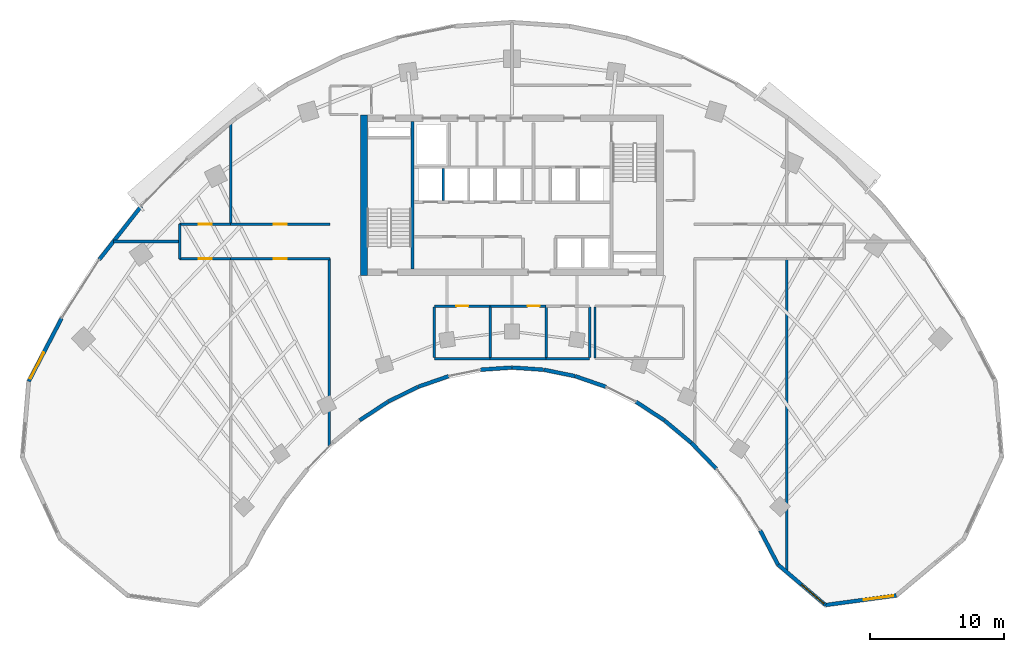
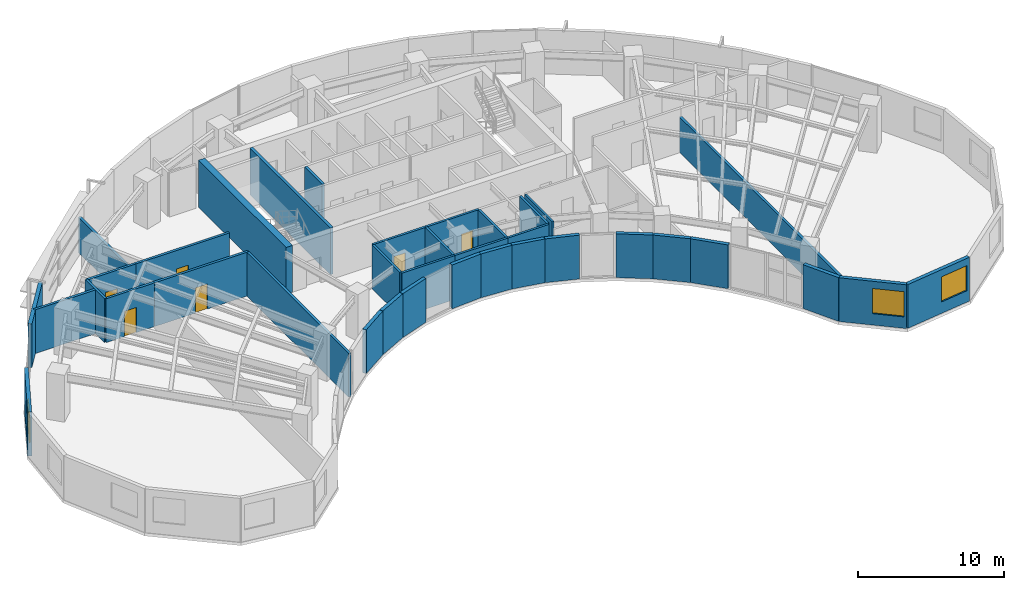
# One storey, part 8 of 14: 37 walls, 6 doors, 3 windows, 9 openings.
"""IFC4 building model written with IfcOpenShell, lengths in metres."""

from ifc_helpers import new_model, si_unit, direction, frame, frame_2d, origin, place, context, subcontext, project, spatial, rectangle, extrude, source, transform, mapped, material, layer, layer_set, type_object, type_shapes, element, fill, save


model = new_model("IFC4")

# Units and contexts
model_context = context("Model", 3, precision=1e-05, world=origin(), true_north=direction((0.0, 1.0)))
body_context = subcontext(model_context, "Body", "Model", "MODEL_VIEW")
ifc_project = project(units=[si_unit("LENGTHUNIT", "METRE"), si_unit("AREAUNIT", "SQUARE_METRE"), si_unit("VOLUMEUNIT", "CUBIC_METRE"), si_unit("PLANEANGLEUNIT", "RADIAN"), si_unit("MASSUNIT", "GRAM", prefix="KILO")], contexts=[model_context])

# Site, building, storey
site_placement = place(None, origin())
site = spatial("IfcSite", under=ifc_project, at=site_placement, CompositionType="ELEMENT")
building_placement = place(site_placement, origin())
building = spatial("IfcBuilding", under=site, at=building_placement, Name="Breltana Convention Tower", CompositionType="ELEMENT")
storey_placement = place(building_placement, frame((0.0, 0.0, 115.5)))
storey = spatial("IfcBuildingStorey", under=building, at=storey_placement, Name="L27", CompositionType="ELEMENT", Elevation=115.5)

# Walls
ifc_material_1 = material(Name="Concrete C60/75", Category="concrete")
ifc_layer_1 = layer(ifc_material_1, 0.5, Name="Concrete C60/75")
ifc_layer_set_1 = layer_set([ifc_layer_1], Name="Concrete C60/75")
wall_type_1 = type_object("IfcWallType", Name="SW-CORE-500", PredefinedType="SHEAR", material=ifc_layer_set_1)
shared_shape_1 = source(origin(), body_context, "Body", "SweptSolid", [
    extrude(rectangle(XDim=12.0, YDim=0.5, at=frame_2d((6.0, 0.0))), origin(), (0.0, 0.0, 1.0), 3.89990234375),
])
wall_1_placement = place(storey_placement, frame((36.949951171875, 60.199951171875, 0.0), z_axis=(0.0, 0.0, 1.0), x_axis=(0.0, 1.0, 0.0)))
element("IfcWall", 1, at=wall_1_placement, inside=storey, type_object=wall_type_1, Name="L27 West Core Shear Wall", PredefinedType="SHEAR", context=body_context, shape_type="MappedRepresentation", body=[
    mapped(shared_shape_1, transform((0.0, 0.0, 0.0), scale=1.0)),
])
ifc_material_2 = material(Name="Concrete C50/60", Category="concrete")
ifc_layer_2 = layer(ifc_material_2, 0.39990234375, Name="Concrete C50/60")
ifc_layer_set_2 = layer_set([ifc_layer_2], Name="Concrete C50/60")
wall_type_2 = type_object("IfcWallType", Name="SW-CORE-400", PredefinedType="SHEAR", material=ifc_layer_set_2)
shared_shape_2 = source(origin(), body_context, "Body", "SweptSolid", [
    extrude(rectangle(XDim=11.0, YDim=0.219970703125, at=frame_2d((5.5, 0.0))), origin(), (0.0, 0.0, 1.0), 3.89990234375),
])
wall_2_placement = place(storey_placement, frame((40.580078125, 60.699951171875, 0.0), z_axis=(0.0, 0.0, 1.0), x_axis=(0.0, 1.0, 0.0)))
element("IfcWall", 2, at=wall_2_placement, inside=storey, type_object=wall_type_2, Name="L27 Core West Stair Spine Wall", PredefinedType="SHEAR", context=body_context, shape_type="MappedRepresentation", body=[
    mapped(shared_shape_2, transform((0.0, 0.0, 0.0), scale=1.0)),
])

# Wall, opening, window
ifc_material_3 = material(Name="Limestone Buff Insulated Wall", Category="masonry")
ifc_layer_3 = layer(ifc_material_3, 0.280029296875, Name="Limestone Buff Insulated Wall")
ifc_layer_set_3 = layer_set([ifc_layer_3], Name="Limestone Buff Insulated Wall")
wall_type_3 = type_object("IfcWallType", Name="WL-EXT-NOSE-280", PredefinedType="SOLIDWALL", material=ifc_layer_set_3)
shared_shape_3 = source(origin(), body_context, "Body", "SweptSolid", [
    extrude(rectangle(XDim=5.32373046875, YDim=0.280029296875, at=frame_2d((2.661865234375, 0.0))), origin(), (0.0, 0.0, 1.0), 3.64990234375),
])
wall_3_placement = place(storey_placement, frame((76.685791015625, 36.321533203125, 0.0), z_axis=(0.0, 0.0, 1.0), x_axis=(-0.990931467223, -0.134368252451, 0.0)))
wall_3 = element("IfcWall", 3, at=wall_3_placement, inside=storey, type_object=wall_type_3, Name="L27 curved limestone nose wall E4", PredefinedType="SOLIDWALL", context=body_context, shape_type="MappedRepresentation", body=[
    mapped(shared_shape_3, transform((0.0, 0.0, 0.0), scale=1.0)),
])
opening_1_placement = place(wall_3_placement, frame((0.23095703125, 0.0, 0.949951171875)))
opening_1 = element("IfcOpeningElement", 4, at=opening_1_placement, cuts=wall_3, Name="Opening W-03", PredefinedType="OPENING", context=body_context, shape_type="SweptSolid", body=[
    extrude(rectangle(XDim=2.199951171875, YDim=2.10009765625, at=frame_2d((1.10009765625, 1.050048828125))), frame((0.0, 0.14990234375, 0.0), z_axis=(0.0, -1.0, 0.0), x_axis=(1.0, 0.0, 0.0)), (0.0, 0.0, 1.0), 0.300048828125),
])
ifc_material_4 = material(Name="Glass Low-E Insulated Window", Category="glass")
window_type = type_object("IfcWindowType", Name="WN-NOSE-2200X2100", PartitioningType="TRIPLE_PANEL_VERTICAL", PredefinedType="WINDOW", material=ifc_material_4)
shared_shape_4 = source(origin(), body_context, "Body", "SweptSolid", [
    extrude(rectangle(XDim=2.199951171875, YDim=2.10009765625, at=frame_2d((1.10009765625, 1.050048828125))), frame((0.0, 0.030029296875, 0.0), z_axis=(0.0, -1.0, 0.0), x_axis=(1.0, 0.0, 0.0)), (0.0, 0.0, 1.0), 0.06005859375),
])
type_shapes(window_type, [shared_shape_4])
window_1_placement = place(opening_1_placement, origin())
window_1 = element("IfcWindow", 5, at=window_1_placement, inside=storey, type_object=window_type, Name="L27 nose window E4", OverallHeight=2.10009765625, OverallWidth=2.199951171875, PartitioningType="TRIPLE_PANEL_VERTICAL", PredefinedType="WINDOW", context=body_context, shape_type="MappedRepresentation", body=[
    mapped(shared_shape_4, transform((0.0, 0.0, 0.0), scale=1.0)),
])
fill(opening_1, window_1)

shared_shape_5 = source(origin(), body_context, "Body", "SweptSolid", [
    extrude(rectangle(XDim=4.6591796875, YDim=0.280029296875, at=frame_2d((2.32958984375, 0.0))), origin(), (0.0, 0.0, 1.0), 3.64990234375),
])
wall_4_placement = place(storey_placement, frame((71.410400390625, 35.606201171875, 0.0), z_axis=(0.0, 0.0, 1.0), x_axis=(-0.761913458795, 0.647678841176, 0.0)))
wall_4 = element("IfcWall", 6, at=wall_4_placement, inside=storey, type_object=wall_type_3, Name="L27 curved limestone nose wall E5", PredefinedType="SOLIDWALL", context=body_context, shape_type="MappedRepresentation", body=[
    mapped(shared_shape_5, transform((0.0, 0.0, 0.0), scale=1.0)),
])
opening_2_placement = place(wall_4_placement, frame((0.159912109375, 0.0, 0.949951171875)))
opening_2 = element("IfcOpeningElement", 7, at=opening_2_placement, cuts=wall_4, Name="Opening W-03", PredefinedType="OPENING", context=body_context, shape_type="SweptSolid", body=[
    extrude(rectangle(XDim=2.199951171875, YDim=2.10009765625, at=frame_2d((1.10009765625, 1.050048828125))), frame((0.0, 0.14990234375, 0.0), z_axis=(0.0, -1.0, 0.0), x_axis=(1.0, 0.0, 0.0)), (0.0, 0.0, 1.0), 0.300048828125),
])
window_2_placement = place(opening_2_placement, origin())
window_2 = element("IfcWindow", 8, at=window_2_placement, inside=storey, type_object=window_type, Name="L27 nose window E5", OverallHeight=2.10009765625, OverallWidth=2.199951171875, PartitioningType="TRIPLE_PANEL_VERTICAL", PredefinedType="WINDOW", context=body_context, shape_type="MappedRepresentation", body=[
    mapped(shared_shape_4, transform((0.0, 0.0, 0.0), scale=1.0)),
])
fill(opening_2, window_2)

# Walls
shared_shape_6 = source(origin(), body_context, "Body", "SweptSolid", [
    extrude(rectangle(XDim=2.8798828125, YDim=0.280029296875, at=frame_2d((1.43994140625, 0.0))), origin(), (0.0, 0.0, 1.0), 3.64990234375),
])
wall_5_placement = place(storey_placement, frame((67.860595703125, 38.623779296875, 0.0), z_axis=(0.0, 0.0, 1.0), x_axis=(-0.461769086658, 0.887000175088, 0.0)))
element("IfcWall", 9, at=wall_5_placement, inside=storey, type_object=wall_type_3, Name="L27 curved limestone nose wall E6", PredefinedType="SOLIDWALL", context=body_context, shape_type="MappedRepresentation", body=[
    mapped(shared_shape_6, transform((0.0, 0.0, 0.0), scale=1.0)),
])
shared_shape_7 = source(origin(), body_context, "Body", "SweptSolid", [
    extrude(rectangle(XDim=2.679931640625, YDim=0.280029296875, at=frame_2d((1.33984375, 0.0))), origin(), (0.0, 0.0, 1.0), 3.64990234375),
])
wall_6_placement = place(storey_placement, frame((63.260009765625, 45.780029296875, 0.0), z_axis=(0.0, 0.0, 1.0), x_axis=(-0.694561996568, 0.719432855049, 0.0)))
element("IfcWall", 10, at=wall_6_placement, inside=storey, type_object=wall_type_3, Name="L27 curved limestone nose wall E7", PredefinedType="SOLIDWALL", context=body_context, shape_type="MappedRepresentation", body=[
    mapped(shared_shape_7, transform((0.0, 0.0, 0.0), scale=1.0)),
])
shared_shape_8 = source(origin(), body_context, "Body", "SweptSolid", [
    extrude(rectangle(XDim=2.600830078125, YDim=0.280029296875, at=frame_2d((1.30029296875, 0.0))), origin(), (0.0, 0.0, 1.0), 3.64990234375),
])
wall_7_placement = place(storey_placement, frame((61.384521484375, 47.72119140625, 0.0), z_axis=(0.0, 0.0, 1.0), x_axis=(-0.76796730295, 0.640489048775, 0.0)))
element("IfcWall", 11, at=wall_7_placement, inside=storey, type_object=wall_type_3, Name="L27 curved limestone nose wall E8", PredefinedType="SOLIDWALL", context=body_context, shape_type="MappedRepresentation", body=[
    mapped(shared_shape_8, transform((0.0, 0.0, 0.0), scale=1.0)),
])
shared_shape_9 = source(origin(), body_context, "Body", "SweptSolid", [
    extrude(rectangle(XDim=2.46240234375, YDim=0.280029296875, at=frame_2d((1.231201171875, 0.0))), origin(), (0.0, 0.0, 1.0), 3.64990234375),
])
wall_8_placement = place(storey_placement, frame((40.96728515625, 51.890625, 0.0), z_axis=(0.0, 0.0, 1.0), x_axis=(-0.8959882207, -0.444077817917, 0.0)))
element("IfcWall", 12, at=wall_8_placement, inside=storey, type_object=wall_type_3, Name="L27 curved limestone nose wall E15", PredefinedType="SOLIDWALL", context=body_context, shape_type="MappedRepresentation", body=[
    mapped(shared_shape_9, transform((0.0, 0.0, 0.0), scale=1.0)),
])
shared_shape_10 = source(origin(), body_context, "Body", "SweptSolid", [
    extrude(rectangle(XDim=2.41064453125, YDim=0.280029296875, at=frame_2d((1.205322265625, 0.0))), origin(), (0.0, 0.0, 1.0), 3.64990234375),
])
for number, where, z_axis, x_axis, name in (
    (13, (55.01171875, 51.8994140625, 0.0), (0.0, 0.0, 1.0), (-0.944880068161, 0.327416640982, 0.0), "L27 curved limestone nose wall E10"),
    (14, (43.26611328125, 52.688720703125, 0.0), (0.0, 0.0, 1.0), (-0.944880068161, -0.327416640982, 0.0), "L27 curved limestone nose wall E14"),
):
    element("IfcWall", number, at=place(storey_placement, frame(where, z_axis=z_axis, x_axis=x_axis)), inside=storey, type_object=wall_type_3, Name=name, PredefinedType="SOLIDWALL", context=body_context, shape_type="MappedRepresentation", body=[
        mapped(shared_shape_10, transform((0.0, 0.0, 0.0), scale=1.0)),
    ])
shared_shape_11 = source(origin(), body_context, "Body", "SweptSolid", [
    extrude(rectangle(XDim=2.373779296875, YDim=0.280029296875, at=frame_2d((1.18701171875, 0.0))), origin(), (0.0, 0.0, 1.0), 3.64990234375),
])
wall_9_placement = place(storey_placement, frame((52.711181640625, 52.695068359375, 0.0), z_axis=(0.0, 0.0, 1.0), x_axis=(-0.979619827472, 0.200860632341, 0.0)))
element("IfcWall", 15, at=wall_9_placement, inside=storey, type_object=wall_type_3, Name="L27 curved limestone nose wall E11", PredefinedType="SOLIDWALL", context=body_context, shape_type="MappedRepresentation", body=[
    mapped(shared_shape_11, transform((0.0, 0.0, 0.0), scale=1.0)),
])
shared_shape_12 = source(origin(), body_context, "Body", "SweptSolid", [
    extrude(rectangle(XDim=2.35498046875, YDim=0.280029296875, at=frame_2d((1.177490234375, 0.0))), origin(), (0.0, 0.0, 1.0), 3.64990234375),
])
for number, where, z_axis, x_axis, name in (
    (16, (50.36181640625, 53.175048828125, 0.0), (0.0, 0.0, 1.0), (-0.997699017577, 0.067798748701, 0.0), "L27 curved limestone nose wall E12"),
    (17, (47.98779296875, 53.334716796875, 0.0), (0.0, 0.0, 1.0), (-0.997699017577, -0.067798748701, 0.0), "L27 curved limestone nose wall E13"),
):
    element("IfcWall", number, at=place(storey_placement, frame(where, z_axis=z_axis, x_axis=x_axis)), inside=storey, type_object=wall_type_3, Name=name, PredefinedType="SOLIDWALL", context=body_context, shape_type="MappedRepresentation", body=[
        mapped(shared_shape_12, transform((0.0, 0.0, 0.0), scale=1.0)),
    ])
shared_shape_13 = source(origin(), body_context, "Body", "SweptSolid", [
    extrude(rectangle(XDim=2.52734375, YDim=0.280029296875, at=frame_2d((1.263671875, 0.0))), origin(), (0.0, 0.0, 1.0), 3.64990234375),
])
for number, where, z_axis, x_axis, name in (
    (18, (59.37060546875, 49.3994140625, 0.0), (0.0, 0.0, 1.0), (-0.836011905051, 0.548711303523, 0.0), "L27 curved limestone nose wall E9"),
    (19, (38.7421875, 50.7861328125, 0.0), (0.0, 0.0, 1.0), (-0.836011905051, -0.548711303523, 0.0), "L27 curved limestone nose wall E16"),
):
    element("IfcWall", number, at=place(storey_placement, frame(where, z_axis=z_axis, x_axis=x_axis)), inside=storey, type_object=wall_type_3, Name=name, PredefinedType="SOLIDWALL", context=body_context, shape_type="MappedRepresentation", body=[
        mapped(shared_shape_13, transform((0.0, 0.0, 0.0), scale=1.0)),
    ])

# Wall, opening, window
shared_shape_14 = source(origin(), body_context, "Body", "SweptSolid", [
    extrude(rectangle(XDim=5.315185546875, YDim=0.280029296875, at=frame_2d((2.65771484375, 0.0))), origin(), (0.0, 0.0, 1.0), 3.64990234375),
])
wall_10_placement = place(storey_placement, frame((11.92236328125, 52.305419921875, 0.0), z_axis=(0.0, 0.0, 1.0), x_axis=(0.461760527822, 0.887004630735, 0.0)))
wall_10 = element("IfcWall", 20, at=wall_10_placement, inside=storey, type_object=wall_type_3, Name="L27 curved limestone nose wall W7", PredefinedType="SOLIDWALL", context=body_context, shape_type="MappedRepresentation", body=[
    mapped(shared_shape_14, transform((0.0, 0.0, 0.0), scale=1.0)),
])
opening_3_placement = place(wall_10_placement, frame((0.228759765625, 0.0, 0.949951171875)))
opening_3 = element("IfcOpeningElement", 21, at=opening_3_placement, cuts=wall_10, Name="Opening W-03", PredefinedType="OPENING", context=body_context, shape_type="SweptSolid", body=[
    extrude(rectangle(XDim=2.199951171875, YDim=2.10009765625, at=frame_2d((1.10009765625, 1.050048828125))), frame((0.0, 0.14990234375, 0.0), z_axis=(0.0, -1.0, 0.0), x_axis=(1.0, 0.0, 0.0)), (0.0, 0.0, 1.0), 0.300048828125),
])
window_3_placement = place(opening_3_placement, origin())
window_3 = element("IfcWindow", 22, at=window_3_placement, inside=storey, type_object=window_type, Name="L27 nose window W7", OverallHeight=2.10009765625, OverallWidth=2.199951171875, PartitioningType="TRIPLE_PANEL_VERTICAL", PredefinedType="WINDOW", context=body_context, shape_type="MappedRepresentation", body=[
    mapped(shared_shape_4, transform((0.0, 0.0, 0.0), scale=1.0)),
])
fill(opening_3, window_3)

# Walls
shared_shape_15 = source(origin(), body_context, "Body", "SweptSolid", [
    extrude(rectangle(XDim=5.05810546875, YDim=0.280029296875, at=frame_2d((2.529052734375, 0.0))), origin(), (0.0, 0.0, 1.0), 3.64990234375),
])
wall_11_placement = place(storey_placement, frame((17.1884765625, 61.400390625, 0.0), z_axis=(0.0, 0.0, 1.0), x_axis=(0.618145507434, 0.786063694391, 0.0)))
element("IfcWall", 23, at=wall_11_placement, inside=storey, type_object=wall_type_3, Name="L27 curved limestone nose wall E20", PredefinedType="SOLIDWALL", context=body_context, shape_type="MappedRepresentation", body=[
    mapped(shared_shape_15, transform((0.0, 0.0, 0.0), scale=1.0)),
])
ifc_material_5 = material(Name="Autoclaved Aerated Concrete Block", Category="concrete")
ifc_layer_4 = layer(ifc_material_5, 0.199951171875, Name="Autoclaved Aerated Concrete Block")
ifc_layer_set_4 = layer_set([ifc_layer_4], Name="Autoclaved Aerated Concrete Block")
wall_type_4 = type_object("IfcWallType", Name="WL-SHAFT-200", PredefinedType="SOLIDWALL", material=ifc_layer_set_4)
shared_shape_16 = source(origin(), body_context, "Body", "SweptSolid", [
    extrude(rectangle(XDim=2.39990234375, YDim=0.199951171875, at=frame_2d((1.199951171875, 0.0))), origin(), (0.0, 0.0, 1.0), 3.64990234375),
])
wall_12_placement = place(storey_placement, frame((42.8701171875, 65.800048828125, 0.0), z_axis=(0.0, 0.0, 1.0), x_axis=(0.0, 1.0, 0.0)))
element("IfcWall", 24, at=wall_12_placement, inside=storey, type_object=wall_type_4, Name="L27 interior partition W-L27-SH-M-DIV1", PredefinedType="SOLIDWALL", context=body_context, shape_type="MappedRepresentation", body=[
    mapped(shared_shape_16, transform((0.0, 0.0, 0.0), scale=1.0)),
])
ifc_material_6 = material(Name="Cement Board Wet-Area Partition")
ifc_layer_5 = layer(ifc_material_6, 0.175048828125, Name="Cement Board Wet-Area Partition")
ifc_layer_set_5 = layer_set([ifc_layer_5], Name="Cement Board Wet-Area Partition")
wall_type_5 = type_object("IfcWallType", Name="WL-WET-175", PredefinedType="PARTITIONING", material=ifc_layer_set_5)
shared_shape_17 = source(origin(), body_context, "Body", "SweptSolid", [
    extrude(rectangle(XDim=4.176025390625, YDim=0.175048828125, at=frame_2d((2.087890625, 0.0))), origin(), (0.0, 0.0, 1.0), 3.64990234375),
])
for number, where, z_axis, x_axis, name in (
    (25, (42.199951171875, 54.0, 0.0), (0.0, 0.0, 1.0), (1.0, 0.0, 0.0), "L27 interior partition W-L27-WCM-S"),
    (26, (46.3759765625, 54.0, 0.0), (0.0, 0.0, 1.0), (1.0, 0.0, 0.0), "L27 interior partition W-L27-WCF-S"),
):
    element("IfcWall", number, at=place(storey_placement, frame(where, z_axis=z_axis, x_axis=x_axis)), inside=storey, type_object=wall_type_5, Name=name, PredefinedType="PARTITIONING", context=body_context, shape_type="MappedRepresentation", body=[
        mapped(shared_shape_17, transform((0.0, 0.0, 0.0), scale=1.0)),
    ])

# Wall, opening, door
ifc_material_7 = material(Name="Moisture-Resistant Gypsum Chase Wall")
ifc_layer_6 = layer(ifc_material_7, 0.179931640625, Name="Moisture-Resistant Gypsum Chase Wall")
ifc_layer_set_6 = layer_set([ifc_layer_6], Name="Moisture-Resistant Gypsum Chase Wall")
wall_type_6 = type_object("IfcWallType", Name="WL-PLUMB-180", PredefinedType="PLUMBINGWALL", material=ifc_layer_set_6)
shared_shape_18 = source(origin(), body_context, "Body", "SweptSolid", [
    extrude(rectangle(XDim=4.176025390625, YDim=0.179931640625, at=frame_2d((2.087890625, 0.0))), origin(), (0.0, 0.0, 1.0), 3.64990234375),
])
wall_13_placement = place(storey_placement, frame((42.199951171875, 57.919921875, 0.0), z_axis=(0.0, 0.0, 1.0), x_axis=(1.0, 0.0, 0.0)))
wall_13 = element("IfcWall", 27, at=wall_13_placement, inside=storey, type_object=wall_type_6, Name="L27 interior partition W-L27-WCM-N", PredefinedType="PLUMBINGWALL", context=body_context, shape_type="MappedRepresentation", body=[
    mapped(shared_shape_18, transform((0.0, 0.0, 0.0), scale=1.0)),
])
opening_4_placement = place(wall_13_placement, frame((1.637939453125, 0.0, 0.0)))
opening_4 = element("IfcOpeningElement", 28, at=opening_4_placement, cuts=wall_13, Name="Opening D-19", PredefinedType="OPENING", context=body_context, shape_type="SweptSolid", body=[
    extrude(rectangle(XDim=0.89990234375, YDim=2.080078125, at=frame_2d((0.449951171875, 1.0400390625))), frame((0.0, 0.10009765625, 0.0), z_axis=(0.0, -1.0, 0.0), x_axis=(1.0, 0.0, 0.0)), (0.0, 0.0, 1.0), 0.199951171875),
])
ifc_material_8 = material(Name="Timber Moisture-Resistant Door", Category="wood")
door_type_1 = type_object("IfcDoorType", Name="DR-WC-900", OperationType="NOTDEFINED", PredefinedType="DOOR", material=ifc_material_8)
shared_shape_19 = source(origin(), body_context, "Body", "SweptSolid", [
    extrude(rectangle(XDim=0.89990234375, YDim=2.080078125, at=frame_2d((0.449951171875, 1.0400390625))), frame((0.0, 0.02490234375, 0.0), z_axis=(0.0, -1.0, 0.0), x_axis=(1.0, 0.0, 0.0)), (0.0, 0.0, 1.0), 0.050048828125),
])
type_shapes(door_type_1, [shared_shape_19])
door_1_placement = place(opening_4_placement, origin())
door_1 = element("IfcDoor", 29, at=door_1_placement, inside=storey, type_object=door_type_1, Name="L27 interior door D-L27-WCM", OperationType="SINGLE_SWING_RIGHT", OverallHeight=2.080078125, OverallWidth=0.89990234375, PredefinedType="DOOR", context=body_context, shape_type="MappedRepresentation", body=[
    mapped(shared_shape_19, transform((0.0, 0.0, 0.0), scale=1.0)),
])
fill(opening_4, door_1)

wall_14_placement = place(storey_placement, frame((46.3759765625, 57.919921875, 0.0), z_axis=(0.0, 0.0, 1.0), x_axis=(1.0, 0.0, 0.0)))
wall_14 = element("IfcWall", 30, at=wall_14_placement, inside=storey, type_object=wall_type_6, Name="L27 interior partition W-L27-WCF-N", PredefinedType="PLUMBINGWALL", context=body_context, shape_type="MappedRepresentation", body=[
    mapped(shared_shape_18, transform((0.0, 0.0, 0.0), scale=1.0)),
])
opening_5_placement = place(wall_14_placement, frame((2.7880859375, 0.0, 0.0)))
opening_5 = element("IfcOpeningElement", 31, at=opening_5_placement, cuts=wall_14, Name="Opening D-19", PredefinedType="OPENING", context=body_context, shape_type="SweptSolid", body=[
    extrude(rectangle(XDim=0.89990234375, YDim=2.080078125, at=frame_2d((0.449951171875, 1.0400390625))), frame((0.0, 0.10009765625, 0.0), z_axis=(0.0, -1.0, 0.0), x_axis=(1.0, 0.0, 0.0)), (0.0, 0.0, 1.0), 0.199951171875),
])
door_2_placement = place(opening_5_placement, origin())
door_2 = element("IfcDoor", 32, at=door_2_placement, inside=storey, type_object=door_type_1, Name="L27 interior door D-L27-WCF", OperationType="SINGLE_SWING_LEFT", OverallHeight=2.080078125, OverallWidth=0.89990234375, PredefinedType="DOOR", context=body_context, shape_type="MappedRepresentation", body=[
    mapped(shared_shape_19, transform((0.0, 0.0, 0.0), scale=1.0)),
])
fill(opening_5, door_2)

# Walls
shared_shape_20 = source(origin(), body_context, "Body", "SweptSolid", [
    extrude(rectangle(XDim=3.7626953125, YDim=0.175048828125, at=frame_2d((1.88134765625, 0.0))), origin(), (0.0, 0.0, 1.0), 3.64990234375),
])
for number, where, z_axis, x_axis, name in (
    (33, (42.199951171875, 54.07861328125, 0.0), (0.0, 0.0, 1.0), (0.0, 1.0, 0.0), "L27 interior partition W-L27-WCM-W"),
    (34, (46.3759765625, 54.07861328125, 0.0), (0.0, 0.0, 1.0), (0.0, 1.0, 0.0), "L27 interior partition W-L27-WCM-E"),
    (35, (50.552001953125, 54.07861328125, 0.0), (0.0, 0.0, 1.0), (0.0, 1.0, 0.0), "L27 interior partition W-L27-WCF-E"),
    (36, (53.800048828125, 54.07861328125, 0.0), (0.0, 0.0, 1.0), (0.0, 1.0, 0.0), "L27 interior partition W-L27-WCA-E"),
):
    element("IfcWall", number, at=place(storey_placement, frame(where, z_axis=z_axis, x_axis=x_axis)), inside=storey, type_object=wall_type_5, Name=name, PredefinedType="PARTITIONING", context=body_context, shape_type="MappedRepresentation", body=[
        mapped(shared_shape_20, transform((0.0, 0.0, 0.0), scale=1.0)),
    ])
shared_shape_21 = source(origin(), body_context, "Body", "SweptSolid", [
    extrude(rectangle(XDim=3.248046875, YDim=0.175048828125, at=frame_2d((1.6240234375, 0.0))), origin(), (0.0, 0.0, 1.0), 3.64990234375),
])
wall_15_placement = place(storey_placement, frame((50.552001953125, 54.0, 0.0), z_axis=(0.0, 0.0, 1.0), x_axis=(1.0, 0.0, 0.0)))
element("IfcWall", 37, at=wall_15_placement, inside=storey, type_object=wall_type_5, Name="L27 interior partition W-L27-WCA-S", PredefinedType="PARTITIONING", context=body_context, shape_type="MappedRepresentation", body=[
    mapped(shared_shape_21, transform((0.0, 0.0, 0.0), scale=1.0)),
])
ifc_material_9 = material(Name="Gypsum Acoustic Drywall Partition")
ifc_layer_7 = layer(ifc_material_9, 0.14990234375, Name="Gypsum Acoustic Drywall Partition")
ifc_layer_set_7 = layer_set([ifc_layer_7], Name="Gypsum Acoustic Drywall Partition")
wall_type_7 = type_object("IfcWallType", Name="WL-PART-150", PredefinedType="PARTITIONING", material=ifc_layer_set_7)
shared_shape_22 = source(origin(), body_context, "Body", "SweptSolid", [
    extrude(rectangle(XDim=3.78515625, YDim=0.14990234375, at=frame_2d((1.892578125, 0.0))), origin(), (0.0, 0.0, 1.0), 3.64990234375),
])
wall_16_placement = place(storey_placement, frame((54.199951171875, 54.0673828125, 0.0), z_axis=(0.0, 0.0, 1.0), x_axis=(0.0, 1.0, 0.0)))
element("IfcWall", 38, at=wall_16_placement, inside=storey, type_object=wall_type_7, Name="L27 interior partition W-L27-PNT-W", PredefinedType="PARTITIONING", context=body_context, shape_type="MappedRepresentation", body=[
    mapped(shared_shape_22, transform((0.0, 0.0, 0.0), scale=1.0)),
])

# Wall, opening, door
ifc_material_10 = material(Name="Gypsum Acoustic Hotel Wall")
ifc_layer_8 = layer(ifc_material_10, 0.195068359375, Name="Gypsum Acoustic Hotel Wall")
ifc_layer_set_8 = layer_set([ifc_layer_8], Name="Gypsum Acoustic Hotel Wall")
wall_type_8 = type_object("IfcWallType", Name="WL-HOTEL-200", PredefinedType="PARTITIONING", material=ifc_layer_set_8)
shared_shape_23 = source(origin(), body_context, "Body", "SweptSolid", [
    extrude(rectangle(XDim=3.820068359375, YDim=0.195068359375, at=frame_2d((1.91015625, 0.0))), origin(), (0.0, 0.0, 1.0), 3.64990234375),
])
wall_17_placement = place(storey_placement, frame((23.179931640625, 64.0400390625, 0.0), z_axis=(0.0, 0.0, 1.0), x_axis=(1.0, 0.0, 0.0)))
wall_17 = element("IfcWall", 39, at=wall_17_placement, inside=storey, type_object=wall_type_8, Name="L27 interior partition W-L27-ZWN1-D", PredefinedType="PARTITIONING", context=body_context, shape_type="MappedRepresentation", body=[
    mapped(shared_shape_23, transform((0.0, 0.0, 0.0), scale=1.0)),
])
opening_6_placement = place(wall_17_placement, frame((1.43505859375, 0.0, 0.0)))
opening_6 = element("IfcOpeningElement", 40, at=opening_6_placement, cuts=wall_17, Name="Opening D-17", PredefinedType="OPENING", context=body_context, shape_type="SweptSolid", body=[
    extrude(rectangle(XDim=0.949951171875, YDim=2.10009765625, at=frame_2d((0.47509765625, 1.050048828125))), frame((0.0, 0.107421875, 0.0), z_axis=(0.0, -1.0, 0.0), x_axis=(1.0, 0.0, 0.0)), (0.0, 0.0, 1.0), 0.215087890625),
])
ifc_material_11 = material(Name="Timber Oak Veneer Door", Category="wood")
door_type_2 = type_object("IfcDoorType", Name="DR-INT-950", OperationType="NOTDEFINED", PredefinedType="DOOR", material=ifc_material_11)
shared_shape_24 = source(origin(), body_context, "Body", "SweptSolid", [
    extrude(rectangle(XDim=0.949951171875, YDim=2.10009765625, at=frame_2d((0.47509765625, 1.050048828125))), frame((0.0, 0.02490234375, 0.0), z_axis=(0.0, -1.0, 0.0), x_axis=(1.0, 0.0, 0.0)), (0.0, 0.0, 1.0), 0.050048828125),
])
type_shapes(door_type_2, [shared_shape_24])
door_3_placement = place(opening_6_placement, origin())
door_3 = element("IfcDoor", 41, at=door_3_placement, inside=storey, type_object=door_type_2, Name="L27 interior door D-L27-ZWN1", OperationType="SINGLE_SWING_RIGHT", OverallHeight=2.10009765625, OverallWidth=0.949951171875, PredefinedType="DOOR", context=body_context, shape_type="MappedRepresentation", body=[
    mapped(shared_shape_24, transform((0.0, 0.0, 0.0), scale=1.0)),
])
fill(opening_6, door_3)

wall_18_placement = place(storey_placement, frame((23.179931640625, 61.4599609375, 0.0), z_axis=(0.0, 0.0, 1.0), x_axis=(1.0, 0.0, 0.0)))
wall_18 = element("IfcWall", 42, at=wall_18_placement, inside=storey, type_object=wall_type_8, Name="L27 interior partition W-L27-ZWS1-D", PredefinedType="PARTITIONING", context=body_context, shape_type="MappedRepresentation", body=[
    mapped(shared_shape_23, transform((0.0, 0.0, 0.0), scale=1.0)),
])
opening_7_placement = place(wall_18_placement, frame((1.43505859375, 0.0, 0.0)))
opening_7 = element("IfcOpeningElement", 43, at=opening_7_placement, cuts=wall_18, Name="Opening D-17", PredefinedType="OPENING", context=body_context, shape_type="SweptSolid", body=[
    extrude(rectangle(XDim=0.949951171875, YDim=2.10009765625, at=frame_2d((0.47509765625, 1.050048828125))), frame((0.0, 0.107421875, 0.0), z_axis=(0.0, -1.0, 0.0), x_axis=(1.0, 0.0, 0.0)), (0.0, 0.0, 1.0), 0.215087890625),
])
door_4_placement = place(opening_7_placement, origin())
door_4 = element("IfcDoor", 44, at=door_4_placement, inside=storey, type_object=door_type_2, Name="L27 interior door D-L27-ZWS1", OperationType="SINGLE_SWING_RIGHT", OverallHeight=2.10009765625, OverallWidth=0.949951171875, PredefinedType="DOOR", context=body_context, shape_type="MappedRepresentation", body=[
    mapped(shared_shape_24, transform((0.0, 0.0, 0.0), scale=1.0)),
])
fill(opening_7, door_4)

# Wall
shared_shape_25 = source(origin(), body_context, "Body", "SweptSolid", [
    extrude(rectangle(XDim=7.566162109375, YDim=0.195068359375, at=frame_2d((3.783203125, 0.0))), origin(), (0.0, 0.0, 1.0), 2.94189453125),
])
wall_19_placement = place(storey_placement, frame((27.0, 64.06005859375, 0.0), z_axis=(0.0, 0.0, 1.0), x_axis=(0.0, 1.0, 0.0)))
element("IfcWall", 45, at=wall_19_placement, inside=storey, type_object=wall_type_8, Name="L27 interior partition W-L27-ZWN1-E", PredefinedType="PARTITIONING", context=body_context, shape_type="MappedRepresentation", body=[
    mapped(shared_shape_25, transform((0.0, 0.0, 0.0), scale=1.0)),
])

# Wall, opening, door
shared_shape_26 = source(origin(), body_context, "Body", "SweptSolid", [
    extrude(rectangle(XDim=7.39990234375, YDim=0.195068359375, at=frame_2d((3.699951171875, 0.0))), origin(), (0.0, 0.0, 1.0), 3.64990234375),
])
wall_20_placement = place(storey_placement, frame((27.0, 64.0400390625, 0.0), z_axis=(0.0, 0.0, 1.0), x_axis=(1.0, 0.0, 0.0)))
wall_20 = element("IfcWall", 46, at=wall_20_placement, inside=storey, type_object=wall_type_8, Name="L27 interior partition W-L27-ZWN2-D", PredefinedType="PARTITIONING", context=body_context, shape_type="MappedRepresentation", body=[
    mapped(shared_shape_26, transform((0.0, 0.0, 0.0), scale=1.0)),
])
opening_8_placement = place(wall_20_placement, frame((3.22509765625, 0.0, 0.0)))
opening_8 = element("IfcOpeningElement", 47, at=opening_8_placement, cuts=wall_20, Name="Opening D-17", PredefinedType="OPENING", context=body_context, shape_type="SweptSolid", body=[
    extrude(rectangle(XDim=0.949951171875, YDim=2.10009765625, at=frame_2d((0.47509765625, 1.050048828125))), frame((0.0, 0.107421875, 0.0), z_axis=(0.0, -1.0, 0.0), x_axis=(1.0, 0.0, 0.0)), (0.0, 0.0, 1.0), 0.215087890625),
])
door_5_placement = place(opening_8_placement, origin())
door_5 = element("IfcDoor", 48, at=door_5_placement, inside=storey, type_object=door_type_2, Name="L27 interior door D-L27-ZWN2", OperationType="SINGLE_SWING_LEFT", OverallHeight=2.10009765625, OverallWidth=0.949951171875, PredefinedType="DOOR", context=body_context, shape_type="MappedRepresentation", body=[
    mapped(shared_shape_24, transform((0.0, 0.0, 0.0), scale=1.0)),
])
fill(opening_8, door_5)

wall_21_placement = place(storey_placement, frame((27.0, 61.4599609375, 0.0), z_axis=(0.0, 0.0, 1.0), x_axis=(1.0, 0.0, 0.0)))
wall_21 = element("IfcWall", 49, at=wall_21_placement, inside=storey, type_object=wall_type_8, Name="L27 interior partition W-L27-ZWS2-D", PredefinedType="PARTITIONING", context=body_context, shape_type="MappedRepresentation", body=[
    mapped(shared_shape_26, transform((0.0, 0.0, 0.0), scale=1.0)),
])
opening_9_placement = place(wall_21_placement, frame((3.22509765625, 0.0, 0.0)))
opening_9 = element("IfcOpeningElement", 50, at=opening_9_placement, cuts=wall_21, Name="Opening D-17", PredefinedType="OPENING", context=body_context, shape_type="SweptSolid", body=[
    extrude(rectangle(XDim=0.949951171875, YDim=2.10009765625, at=frame_2d((0.47509765625, 1.050048828125))), frame((0.0, 0.107421875, 0.0), z_axis=(0.0, -1.0, 0.0), x_axis=(1.0, 0.0, 0.0)), (0.0, 0.0, 1.0), 0.215087890625),
])
door_6_placement = place(opening_9_placement, origin())
door_6 = element("IfcDoor", 51, at=door_6_placement, inside=storey, type_object=door_type_2, Name="L27 interior door D-L27-ZWS2", OperationType="SINGLE_SWING_LEFT", OverallHeight=2.10009765625, OverallWidth=0.949951171875, PredefinedType="DOOR", context=body_context, shape_type="MappedRepresentation", body=[
    mapped(shared_shape_24, transform((0.0, 0.0, 0.0), scale=1.0)),
])
fill(opening_9, door_6)

# Walls
shared_shape_27 = source(origin(), body_context, "Body", "SweptSolid", [
    extrude(rectangle(XDim=13.987548828125, YDim=0.195068359375, at=frame_2d((6.99365234375, 0.0))), origin(), (0.0, 0.0, 1.0), 3.64990234375),
])
wall_22_placement = place(storey_placement, frame((34.360107421875, 47.472412109375, 0.0), z_axis=(0.0, 0.0, 1.0), x_axis=(0.0, 1.0, 0.0)))
element("IfcWall", 52, at=wall_22_placement, inside=storey, type_object=wall_type_8, Name="L27 interior partition W-L27-ZODD-WC", PredefinedType="PARTITIONING", context=body_context, shape_type="MappedRepresentation", body=[
    mapped(shared_shape_27, transform((0.0, 0.0, 0.0), scale=1.0)),
])
shared_shape_28 = source(origin(), body_context, "Body", "SweptSolid", [
    extrude(rectangle(XDim=23.346435546875, YDim=0.195068359375, at=frame_2d((11.67333984375, 0.0))), origin(), (0.0, 0.0, 1.0), 2.94189453125),
])
wall_23_placement = place(storey_placement, frame((68.5, 38.093505859375, 0.0), z_axis=(0.0, 0.0, 1.0), x_axis=(0.0, 1.0, 0.0)))
element("IfcWall", 53, at=wall_23_placement, inside=storey, type_object=wall_type_8, Name="L27 interior partition W-L27-ZES1-E", PredefinedType="PARTITIONING", context=body_context, shape_type="MappedRepresentation", body=[
    mapped(shared_shape_28, transform((0.0, 0.0, 0.0), scale=1.0)),
])
shared_shape_29 = source(origin(), body_context, "Body", "SweptSolid", [
    extrude(rectangle(XDim=2.6201171875, YDim=0.195068359375, at=frame_2d((1.31005859375, 0.0))), origin(), (0.0, 0.0, 1.0), 3.64990234375),
])
wall_24_placement = place(storey_placement, frame((23.179931640625, 61.43994140625, 0.0), z_axis=(0.0, 0.0, 1.0), x_axis=(0.0, 1.0, 0.0)))
element("IfcWall", 54, at=wall_24_placement, inside=storey, type_object=wall_type_8, Name="L27 interior partition W-L27-ZFW-CAP", PredefinedType="PARTITIONING", context=body_context, shape_type="MappedRepresentation", body=[
    mapped(shared_shape_29, transform((0.0, 0.0, 0.0), scale=1.0)),
])
shared_shape_30 = source(origin(), body_context, "Body", "SweptSolid", [
    extrude(rectangle(XDim=4.91748046875, YDim=0.195068359375, at=frame_2d((2.458740234375, 0.0))), origin(), (0.0, 0.0, 1.0), 3.64990234375),
])
wall_25_placement = place(storey_placement, frame((18.262451171875, 62.75, 0.0), z_axis=(0.0, 0.0, 1.0), x_axis=(1.0, 0.0, 0.0)))
element("IfcWall", 55, at=wall_25_placement, inside=storey, type_object=wall_type_8, Name="L27 interior partition W-L27-ZFW-EXT", PredefinedType="PARTITIONING", context=body_context, shape_type="MappedRepresentation", body=[
    mapped(shared_shape_30, transform((0.0, 0.0, 0.0), scale=1.0)),
])

save(model, "model.ifc")
